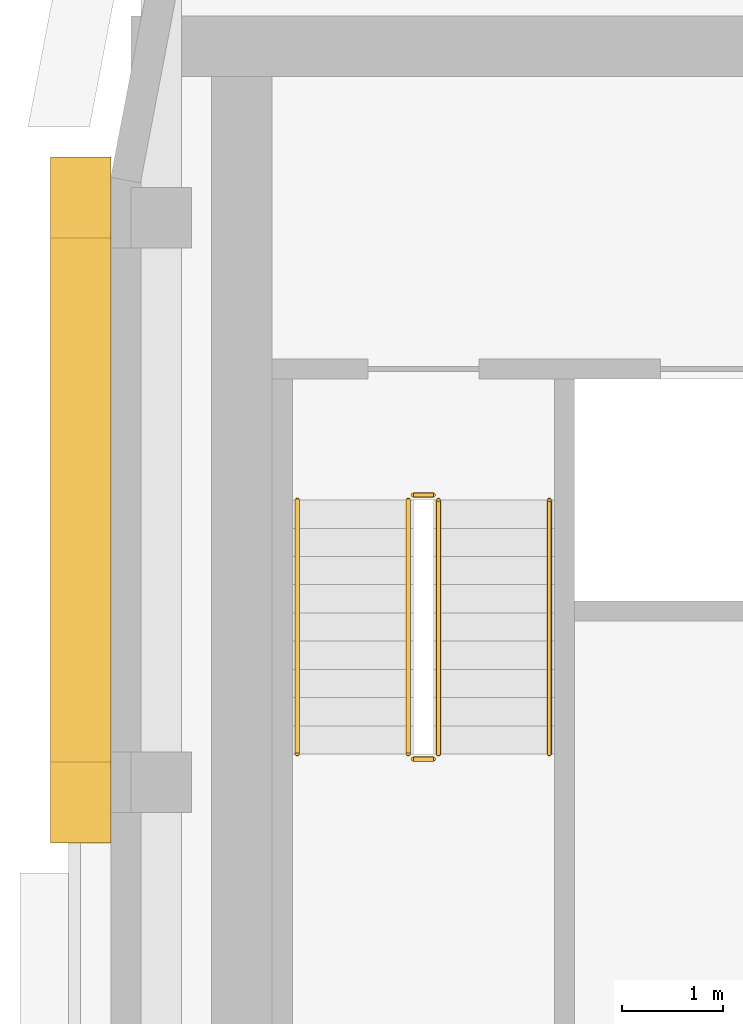
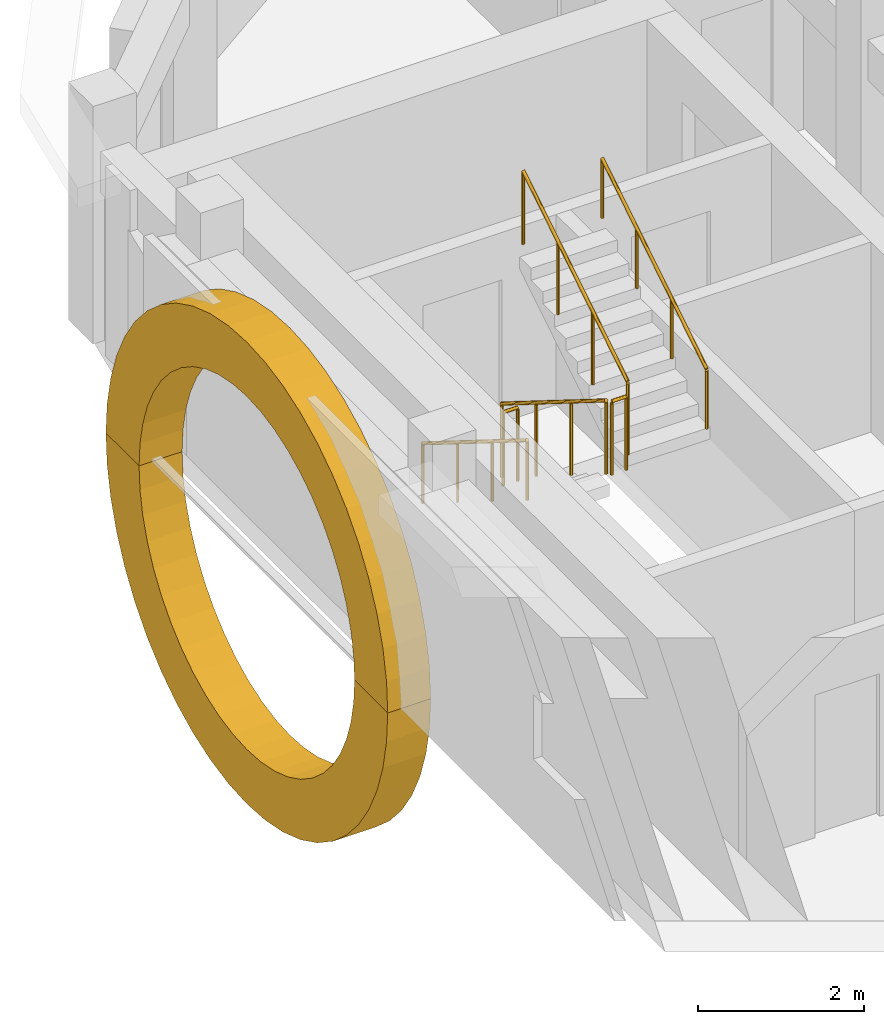
# One storey, part 8 of 12: 6 railings, 2 coverings.
"""IFC4 building model written with IfcOpenShell, lengths in metres."""

from ifc_helpers import new_model, si_unit, direction, frame, origin, origin_2d, place, context, subcontext, project, spatial, polyline, circle, outline, extrude, material, type_object, element, save


model = new_model("IFC4")

# Units and contexts
model_context = context("Model", 3, precision=1e-05, world=origin(), true_north=direction((0.0, 1.0)))
body_context = subcontext(model_context, "Body", "Model", "MODEL_VIEW")
ifc_project = project(units=[si_unit("LENGTHUNIT", "METRE"), si_unit("AREAUNIT", "SQUARE_METRE"), si_unit("VOLUMEUNIT", "CUBIC_METRE"), si_unit("PLANEANGLEUNIT", "RADIAN"), si_unit("MASSUNIT", "GRAM", prefix="KILO")], contexts=[model_context])

# Site, building, storey
site_placement = place(None, origin())
site = spatial("IfcSite", under=ifc_project, at=site_placement, CompositionType="ELEMENT")
building_placement = place(site_placement, origin())
building = spatial("IfcBuilding", under=site, at=building_placement, Name="Kiln Ring Residences", CompositionType="ELEMENT")
storey_placement = place(building_placement, frame((0.0, 0.0, 310.39990234375)))
storey = spatial("IfcBuildingStorey", under=building, at=storey_placement, Name="L80 Crown", CompositionType="ELEMENT", Elevation=310.39990234375)

# Railings
ifc_material_1 = material(Name="Stainless steel", Category="steel")
railing_type_1 = type_object("IfcRailingType", Name="CORE-STAIR-GUARD", PredefinedType="GUARDRAIL", material=ifc_material_1)
railing_1_placement = place(storey_placement, frame((-22.25, 8.39990234375, 0.175048828125)))
element("IfcRailing", 1, at=railing_1_placement, inside=storey, type_object=railing_type_1, Name="L80 Crown W-STN stair guard 1", PredefinedType="GUARDRAIL", context=body_context, shape_type="SweptSolid", body=[
    extrude(circle(Radius=0.02392578125, at=origin_2d()), frame((0.0, 0.0, 1.076171875), z_axis=(0.0, -0.848007534815, 0.529984170421), x_axis=(1.0, 0.0, 0.0)), (0.0, 0.0, 1.0), 2.9716796875),
    extrude(circle(Radius=0.02099609375, at=origin_2d()), origin(), (0.0, 0.0, 1.0), 1.052001953125),
    extrude(circle(Radius=0.02099609375, at=origin_2d()), frame((0.0, -0.840087890625, 0.52490234375)), (0.0, 0.0, 1.0), 1.052001953125),
    extrude(circle(Radius=0.02099609375, at=origin_2d()), frame((0.0, -1.679931640625, 1.050048828125)), (0.0, 0.0, 1.0), 1.052001953125),
    extrude(circle(Radius=0.02099609375, at=origin_2d()), frame((0.0, -2.52001953125, 1.574951171875)), (0.0, 0.0, 1.0), 1.052001953125),
])
railing_2_placement = place(storey_placement, frame((-22.199951171875, 5.830078125, 1.75)))
element("IfcRailing", 2, at=railing_2_placement, inside=storey, type_object=railing_type_1, Name="L80 Crown W-STN stair guard 2", PredefinedType="GUARDRAIL", context=body_context, shape_type="SweptSolid", body=[
    extrude(circle(Radius=0.02392578125, at=origin_2d()), frame((0.0, 0.0, 1.076171875), z_axis=(1.0, 0.0, 0.0), x_axis=(0.0, 1.0, 0.0)), (0.0, 0.0, 1.0), 0.199951171875),
    extrude(circle(Radius=0.02099609375, at=origin_2d()), origin(), (0.0, 0.0, 1.0), 1.052001953125),
    extrude(circle(Radius=0.02099609375, at=origin_2d()), frame((0.199951171875, 0.0, 0.0)), (0.0, 0.0, 1.0), 1.052001953125),
])
railing_3_placement = place(storey_placement, frame((-21.949951171875, 5.8798828125, 1.925048828125)))
element("IfcRailing", 3, at=railing_3_placement, inside=storey, type_object=railing_type_1, Name="L80 Crown W-STN stair guard 3", PredefinedType="GUARDRAIL", context=body_context, shape_type="SweptSolid", body=[
    extrude(circle(Radius=0.02392578125, at=origin_2d()), frame((0.0, 0.0, 1.076171875), z_axis=(0.0, 0.848007534815, 0.529984170421), x_axis=(-1.0, 0.0, 0.0)), (0.0, 0.0, 1.0), 2.9716796875),
    extrude(circle(Radius=0.02099609375, at=origin_2d()), origin(), (0.0, 0.0, 1.0), 1.052001953125),
    extrude(circle(Radius=0.02099609375, at=origin_2d()), frame((0.0, 0.840087890625, 0.52490234375)), (0.0, 0.0, 1.0), 1.052001953125),
    extrude(circle(Radius=0.02099609375, at=origin_2d()), frame((0.0, 1.679931640625, 1.050048828125)), (0.0, 0.0, 1.0), 1.052001953125),
    extrude(circle(Radius=0.02099609375, at=origin_2d()), frame((0.0, 2.52001953125, 1.574951171875)), (0.0, 0.0, 1.0), 1.052001953125),
])
railing_4_placement = place(storey_placement, frame((-22.199951171875, 8.449951171875, 0.0)))
element("IfcRailing", 4, at=railing_4_placement, inside=storey, type_object=railing_type_1, Name="L80 Crown W-STN stair guard 4", PredefinedType="GUARDRAIL", context=body_context, shape_type="SweptSolid", body=[
    extrude(circle(Radius=0.02392578125, at=origin_2d()), frame((0.0, 0.0, 1.076171875), z_axis=(1.0, 0.0, 0.0), x_axis=(0.0, 1.0, 0.0)), (0.0, 0.0, 1.0), 0.199951171875),
    extrude(circle(Radius=0.02099609375, at=origin_2d()), origin(), (0.0, 0.0, 1.0), 1.052001953125),
    extrude(circle(Radius=0.02099609375, at=origin_2d()), frame((0.199951171875, 0.0, 0.0)), (0.0, 0.0, 1.0), 1.052001953125),
])
ifc_material_2 = material(Name="Stainless steel", Category="steel")
railing_type_2 = type_object("IfcRailingType", Name="CORE-STAIR-HANDRAIL", PredefinedType="HANDRAIL", material=ifc_material_2)
railing_5_placement = place(storey_placement, frame((-23.35009765625, 8.39990234375, 0.175048828125)))
element("IfcRailing", 5, at=railing_5_placement, inside=storey, type_object=railing_type_2, Name="L80 Crown W-STN stair handrail 1", PredefinedType="HANDRAIL", context=body_context, shape_type="SweptSolid", body=[
    extrude(circle(Radius=0.02392578125, at=origin_2d()), frame((0.0, 0.0, 0.8759765625), z_axis=(0.0, -0.848007534815, 0.529984170421), x_axis=(1.0, 0.0, 0.0)), (0.0, 0.0, 1.0), 2.9716796875),
    extrude(circle(Radius=0.02099609375, at=origin_2d()), origin(), (0.0, 0.0, 1.0), 0.851806640625),
    extrude(circle(Radius=0.02099609375, at=origin_2d()), frame((0.0, -0.840087890625, 0.52490234375)), (0.0, 0.0, 1.0), 0.851806640625),
    extrude(circle(Radius=0.02099609375, at=origin_2d()), frame((0.0, -1.679931640625, 1.050048828125)), (0.0, 0.0, 1.0), 0.851806640625),
    extrude(circle(Radius=0.02099609375, at=origin_2d()), frame((0.0, -2.52001953125, 1.574951171875)), (0.0, 0.0, 1.0), 0.851806640625),
])
railing_6_placement = place(storey_placement, frame((-20.85009765625, 5.8798828125, 1.925048828125)))
element("IfcRailing", 6, at=railing_6_placement, inside=storey, type_object=railing_type_2, Name="L80 Crown W-STN stair handrail 2", PredefinedType="HANDRAIL", context=body_context, shape_type="SweptSolid", body=[
    extrude(circle(Radius=0.02392578125, at=origin_2d()), frame((0.0, 0.0, 0.8759765625), z_axis=(0.0, 0.848007534815, 0.529984170421), x_axis=(-1.0, 0.0, 0.0)), (0.0, 0.0, 1.0), 2.9716796875),
    extrude(circle(Radius=0.02099609375, at=origin_2d()), origin(), (0.0, 0.0, 1.0), 0.851806640625),
    extrude(circle(Radius=0.02099609375, at=origin_2d()), frame((0.0, 0.840087890625, 0.52490234375)), (0.0, 0.0, 1.0), 0.851806640625),
    extrude(circle(Radius=0.02099609375, at=origin_2d()), frame((0.0, 1.679931640625, 1.050048828125)), (0.0, 0.0, 1.0), 0.851806640625),
    extrude(circle(Radius=0.02099609375, at=origin_2d()), frame((0.0, 2.52001953125, 1.574951171875)), (0.0, 0.0, 1.0), 0.851806640625),
])

# Coverings
ifc_material_3 = material(Name="Concrete C35/45, exposed aggregate finish", Category="concrete")
covering_type = type_object("IfcCoveringType", Name="ROUNDEL RING 600", PredefinedType="CLADDING", material=ifc_material_3)
covering_1_placement = place(storey_placement, frame((-25.5, 5.0, 0.0), z_axis=(0.0, 0.0, 1.0), x_axis=(0.0, 1.0, 0.0)))
element("IfcCovering", 7, at=covering_1_placement, inside=storey, type_object=covering_type, Name="ROUNDEL RING L80 Crown", PredefinedType="CLADDING", context=body_context, shape_type="SweptSolid", body=[
    extrude(outline(polyline([(6.800048828125, 0.0), (6.77099609375, 0.44384765625), (6.68408203125, 0.880126953125), (6.541259765625, 1.30126953125), (6.344482421875, 1.7001953125), (6.097412109375, 2.06982421875), (5.80419921875, 2.404296875), (5.4697265625, 2.697509765625), (5.10009765625, 2.944580078125), (4.701171875, 3.141357421875), (4.280029296875, 3.2841796875), (3.84375, 3.37109375), (3.39990234375, 3.400146484375), (2.956298828125, 3.37109375), (2.52001953125, 3.2841796875), (2.098876953125, 3.141357421875), (1.699951171875, 2.944580078125), (1.330078125, 2.697509765625), (0.995849609375, 2.404296875), (0.70263671875, 2.06982421875), (0.45556640625, 1.7001953125), (0.2587890625, 1.30126953125), (0.115966796875, 0.880126953125), (0.029052734375, 0.44384765625), (0.0, 0.0), (0.800048828125, 0.0), (0.822265625, 0.339599609375), (0.888671875, 0.673095703125), (0.997802734375, 0.9951171875), (1.148193359375, 1.300048828125), (1.33740234375, 1.5830078125), (1.5615234375, 1.838623046875), (1.817138671875, 2.062744140625), (2.10009765625, 2.251708984375), (2.405029296875, 2.402099609375), (2.72705078125, 2.511474609375), (3.060546875, 2.577880859375), (3.39990234375, 2.60009765625), (3.739501953125, 2.577880859375), (4.072998046875, 2.511474609375), (4.39501953125, 2.402099609375), (4.699951171875, 2.251708984375), (4.98291015625, 2.062744140625), (5.238525390625, 1.838623046875), (5.462646484375, 1.5830078125), (5.651611328125, 1.300048828125), (5.802001953125, 0.9951171875), (5.911376953125, 0.673095703125), (5.977783203125, 0.339599609375), (6.0, 0.0), (6.800048828125, 0.0)])), frame((0.0, 0.300048828125, 0.0), z_axis=(0.0, -1.0, 0.0), x_axis=(1.0, 0.0, 0.0)), (0.0, 0.0, 1.0), 0.60009765625),
])
covering_2_placement = place(storey_placement, frame((-25.5, 5.0, -3.39990234375), z_axis=(0.0, 0.0, 1.0), x_axis=(0.0, 1.0, 0.0)))
element("IfcCovering", 8, at=covering_2_placement, inside=storey, type_object=covering_type, Name="ROUNDEL RING L80 Crown", PredefinedType="CLADDING", context=body_context, shape_type="SweptSolid", body=[
    extrude(outline(polyline([(0.0, 3.39990234375), (0.029052734375, 2.956298828125), (0.115966796875, 2.52001953125), (0.2587890625, 2.098876953125), (0.45556640625, 1.699951171875), (0.70263671875, 1.330078125), (0.995849609375, 0.995849609375), (1.330078125, 0.70263671875), (1.699951171875, 0.45556640625), (2.098876953125, 0.2587890625), (2.52001953125, 0.115966796875), (2.956298828125, 0.029052734375), (3.39990234375, 0.0), (3.84375, 0.029052734375), (4.280029296875, 0.115966796875), (4.701171875, 0.2587890625), (5.10009765625, 0.45556640625), (5.4697265625, 0.70263671875), (5.80419921875, 0.995849609375), (6.097412109375, 1.330078125), (6.344482421875, 1.699951171875), (6.541259765625, 2.098876953125), (6.68408203125, 2.52001953125), (6.77099609375, 2.956298828125), (6.800048828125, 3.39990234375), (6.0, 3.39990234375), (5.977783203125, 3.060546875), (5.911376953125, 2.72705078125), (5.802001953125, 2.405029296875), (5.651611328125, 2.10009765625), (5.462646484375, 1.817138671875), (5.238525390625, 1.5615234375), (4.98291015625, 1.33740234375), (4.699951171875, 1.148193359375), (4.39501953125, 0.997802734375), (4.072998046875, 0.888671875), (3.739501953125, 0.822265625), (3.39990234375, 0.800048828125), (3.060546875, 0.822265625), (2.72705078125, 0.888671875), (2.405029296875, 0.997802734375), (2.10009765625, 1.148193359375), (1.817138671875, 1.33740234375), (1.5615234375, 1.5615234375), (1.33740234375, 1.817138671875), (1.148193359375, 2.10009765625), (0.997802734375, 2.405029296875), (0.888671875, 2.72705078125), (0.822265625, 3.060546875), (0.800048828125, 3.39990234375), (0.0, 3.39990234375)])), frame((0.0, 0.300048828125, 0.0), z_axis=(0.0, -1.0, 0.0), x_axis=(1.0, 0.0, 0.0)), (0.0, 0.0, 1.0), 0.60009765625),
])

save(model, "model.ifc")
